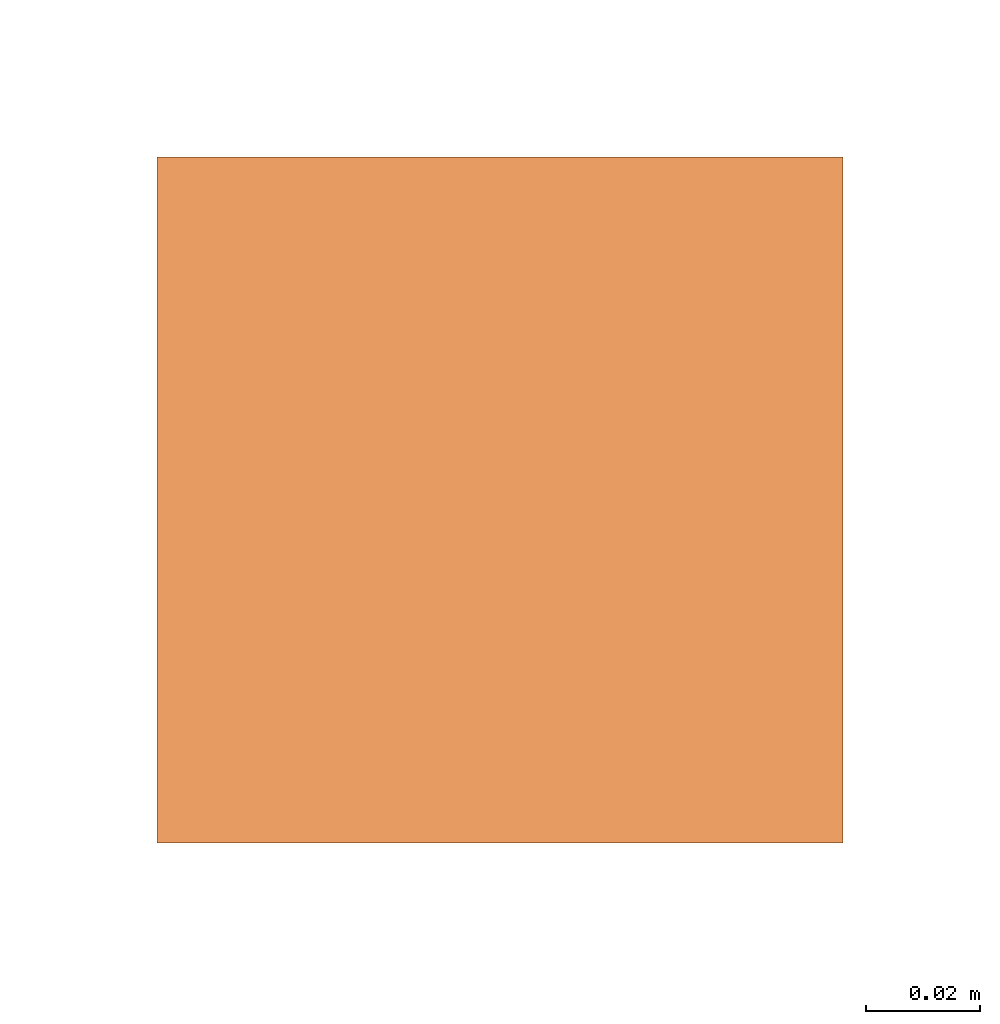
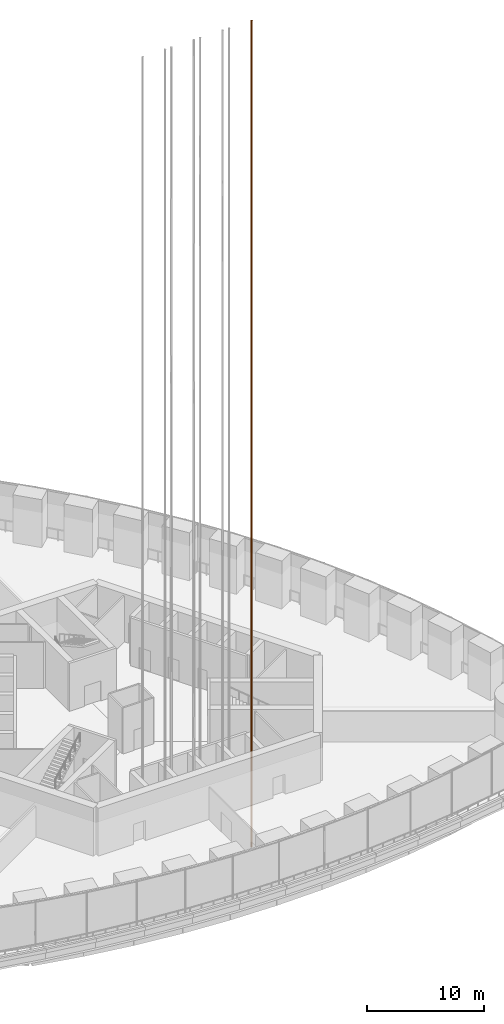
# One storey, part 31 of 31: 1 proxy.
"""IFC4 building model written with IfcOpenShell, lengths in metres."""

from ifc_helpers import new_model, si_unit, direction, frame, origin, origin_2d, place, context, subcontext, project, spatial, rectangle, extrude, element, save


model = new_model("IFC4")

# Units and contexts
model_context = context("Model", 3, precision=1e-05, world=origin(), true_north=direction((0.0, 1.0)))
body_context = subcontext(model_context, "Body", "Model", "MODEL_VIEW")
ifc_project = project(units=[si_unit("LENGTHUNIT", "METRE"), si_unit("AREAUNIT", "SQUARE_METRE"), si_unit("VOLUMEUNIT", "CUBIC_METRE"), si_unit("PLANEANGLEUNIT", "RADIAN"), si_unit("MASSUNIT", "GRAM", prefix="KILO")], contexts=[model_context])

# Site, building, storey
site_placement = place(None, origin())
site = spatial("IfcSite", under=ifc_project, at=site_placement, CompositionType="ELEMENT")
building_placement = place(site_placement, origin())
building = spatial("IfcBuilding", under=site, at=building_placement, Name="Trefoil Bronze Tower", CompositionType="ELEMENT")
storey_placement = place(building_placement, frame((0.0, 0.0, 184.699951171875)))
storey = spatial("IfcBuildingStorey", under=building, at=storey_placement, Name="L42", CompositionType="ELEMENT", Elevation=184.699951171875)

# Proxy
proxy_placement = place(storey_placement, frame((5.385009765625, -11.3125, -6.0), z_axis=(0.0, 0.0, 1.0), x_axis=(1.0, 0.0, 0.0)))
element("IfcBuildingElementProxy", 1, at=proxy_placement, inside=storey, Name="Lift P34 guide rail 2", ObjectType="LIFT GUIDE RAIL", PredefinedType="USERDEFINED", context=body_context, shape_type="SweptSolid", body=[
    extrude(rectangle(XDim=0.1201171875, YDim=0.1201171875, at=origin_2d()), origin(), (0.0, 0.0, 1.0), 86.25),
])

save(model, "model.ifc")
